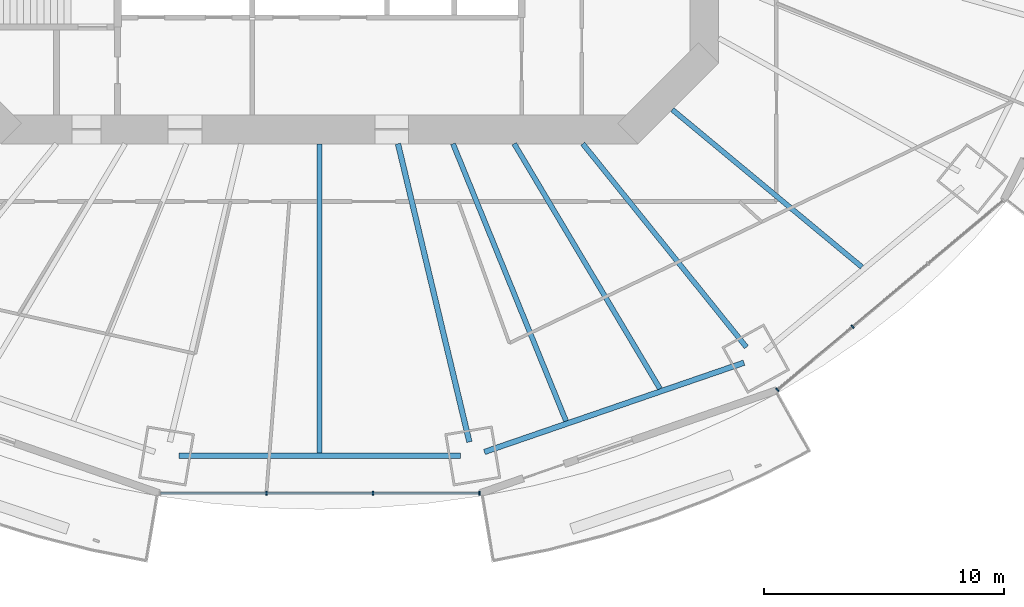
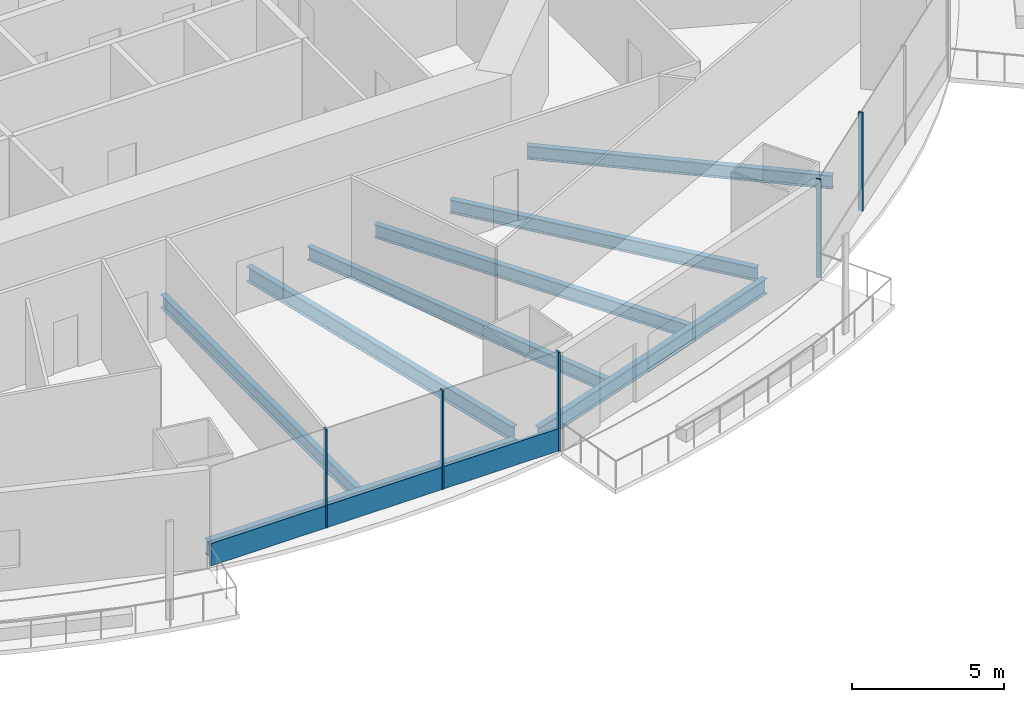
# One storey, part 4 of 22: 8 beams, 6 members, 2 elements without a shape of their own.
"""IFC4 building model written with IfcOpenShell, lengths in metres."""

from ifc_helpers import new_model, si_unit, direction, frame, origin, origin_2d, place, context, subcontext, project, spatial, rectangle, i_section, extrude, material, material_profile, profile_set, type_object, element, aggregate, save


model = new_model("IFC4")

# Units and contexts
model_context = context("Model", 3, precision=1e-05, world=origin(), true_north=direction((0.0, 1.0)))
body_context = subcontext(model_context, "Body", "Model", "MODEL_VIEW")
ifc_project = project(units=[si_unit("LENGTHUNIT", "METRE"), si_unit("AREAUNIT", "SQUARE_METRE"), si_unit("VOLUMEUNIT", "CUBIC_METRE"), si_unit("PLANEANGLEUNIT", "RADIAN"), si_unit("MASSUNIT", "GRAM", prefix="KILO")], contexts=[model_context])

# Site, building, storey
site_placement = place(None, origin())
site = spatial("IfcSite", under=ifc_project, at=site_placement, CompositionType="ELEMENT")
building_placement = place(site_placement, origin())
building = spatial("IfcBuilding", under=site, at=building_placement, Name="Marenthal Gate Tower", CompositionType="ELEMENT")
storey_placement = place(building_placement, frame((0.0, 0.0, 116.0)))
storey = spatial("IfcBuildingStorey", under=building, at=storey_placement, Name="L24", CompositionType="ELEMENT", Elevation=116.0)

# Curtain wall, members
ifc_material_1 = material(Name="Aluminium and glass", Category="aluminium")
curtain_wall_type = type_object("IfcCurtainWallType", Name="Curtain wall typical low", PredefinedType="NOTDEFINED", material=ifc_material_1)
curtain_wall_1_placement = place(storey_placement, origin())
curtain_wall_1 = element("IfcCurtainWall", 1, at=curtain_wall_1_placement, inside=storey, type_object=curtain_wall_type, Name="Curtain wall L24 bay 12", PredefinedType="NOTDEFINED")
ifc_material_2 = material(Name="Aluminium", Category="aluminium")
ifc_material_profile_1 = material_profile(ifc_material_2, rectangle(XDim=0.159912109375, YDim=0.06005859375, at=origin_2d()), Name="60x160 aluminium mullion")
ifc_profile_set_1 = profile_set([ifc_material_profile_1], Name="Aluminium")
member_type_1 = type_object("IfcMemberType", Name="Mullion 60x160 typical low", PredefinedType="MULLION", material=ifc_profile_set_1)
member_1_placement = place(storey_placement, frame((-2.2158203125, -28.13671875, 0.0), z_axis=(0.0, 0.0, 1.0), x_axis=(0.0, 1.0, 0.0)))
member_1 = element("IfcMember", 2, at=member_1_placement, type_object=member_type_1, Name="Mullion L24 bay 12.2", PredefinedType="MULLION", context=body_context, shape_type="SweptSolid", body=[
    extrude(rectangle(XDim=0.159912109375, YDim=0.06005859375, at=origin_2d()), origin(), (0.0, 0.0, 1.0), 3.969970703125),
])
member_2_placement = place(storey_placement, frame((2.2158203125, -28.13671875, 0.0), z_axis=(0.0, 0.0, 1.0), x_axis=(0.0, 1.0, 0.0)))
member_2 = element("IfcMember", 3, at=member_2_placement, type_object=member_type_1, Name="Mullion L24 bay 12.3", PredefinedType="MULLION", context=body_context, shape_type="SweptSolid", body=[
    extrude(rectangle(XDim=0.159912109375, YDim=0.06005859375, at=origin_2d()), origin(), (0.0, 0.0, 1.0), 3.969970703125),
])
member_3_placement = place(storey_placement, frame((6.647216796875, -28.13671875, 0.0), z_axis=(0.0, 0.0, 1.0), x_axis=(0.0, 1.0, 0.0)))
member_3 = element("IfcMember", 4, at=member_3_placement, type_object=member_type_1, Name="Mullion L24 bay 12.4", PredefinedType="MULLION", context=body_context, shape_type="SweptSolid", body=[
    extrude(rectangle(XDim=0.159912109375, YDim=0.06005859375, at=origin_2d()), origin(), (0.0, 0.0, 1.0), 3.969970703125),
])

curtain_wall_2_placement = place(storey_placement, origin())
curtain_wall_2 = element("IfcCurtainWall", 5, at=curtain_wall_2_placement, inside=storey, type_object=curtain_wall_type, Name="Curtain wall L24 bay 14", PredefinedType="NOTDEFINED")
member_4_placement = place(storey_placement, frame((19.037841796875, -23.833984375, 0.0), z_axis=(0.0, 0.0, 1.0), x_axis=(-0.642377082487, 0.766388728972, 0.0)))
member_4 = element("IfcMember", 6, at=member_4_placement, type_object=member_type_1, Name="Mullion L24 bay 14.1", PredefinedType="MULLION", context=body_context, shape_type="SweptSolid", body=[
    extrude(rectangle(XDim=0.159912109375, YDim=0.06005859375, at=origin_2d()), origin(), (0.0, 0.0, 1.0), 3.969970703125),
])
member_5_placement = place(storey_placement, frame((22.170166015625, -21.20849609375, 0.0), z_axis=(0.0, 0.0, 1.0), x_axis=(-0.642377082487, 0.766388728972, 0.0)))
member_5 = element("IfcMember", 7, at=member_5_placement, type_object=member_type_1, Name="Mullion L24 bay 14.2", PredefinedType="MULLION", context=body_context, shape_type="SweptSolid", body=[
    extrude(rectangle(XDim=0.159912109375, YDim=0.06005859375, at=origin_2d()), origin(), (0.0, 0.0, 1.0), 3.969970703125),
])
aggregate(curtain_wall_2, [member_4, member_5])

# Member
ifc_material_3 = material(Name="Aluminium", Category="aluminium")
ifc_material_profile_2 = material_profile(ifc_material_3, rectangle(XDim=0.1201171875, YDim=0.89990234375, at=origin_2d()), Name="120x900 aluminium transom")
ifc_profile_set_2 = profile_set([ifc_material_profile_2], Name="Aluminium")
member_type_2 = type_object("IfcMemberType", Name="Transom 120x900 typical low", PredefinedType="USERDEFINED", material=ifc_profile_set_2)
member_6_placement = place(storey_placement, frame((-6.6171875, -28.13671875, 0.449951171875), z_axis=(1.0, 0.0, 0.0), x_axis=(0.0, 1.0, 0.0)))
member_6 = element("IfcMember", 8, at=member_6_placement, type_object=member_type_2, Name="Transom L24 bay 12", ObjectType="TRANSOM", PredefinedType="USERDEFINED", context=body_context, shape_type="SweptSolid", body=[
    extrude(rectangle(XDim=0.1201171875, YDim=0.89990234375, at=origin_2d()), origin(), (0.0, 0.0, 1.0), 13.234375),
])

aggregate(curtain_wall_1, [member_1, member_2, member_3, member_6])

# Beams
ifc_material_4 = material(Name="Steel S355", Category="steel")
ifc_material_profile_3 = material_profile(ifc_material_4, i_section(OverallWidth=0.2099609375, OverallDepth=0.535888671875, WebThickness=0.010986328125, FlangeThickness=0.017333984375, FilletRadius=0.0126953125, at=origin_2d()), Name="W530X101")
ifc_profile_set_3 = profile_set([ifc_material_profile_3], Name="Steel S355")
beam_type_1 = type_object("IfcBeamType", Name="W530X101 beam", PredefinedType="BEAM", material=ifc_profile_set_3)
beam_1_placement = place(storey_placement, frame((22.551025390625, -18.7255859375, -0.447998046875), z_axis=(-0.769343150929, 0.638835750501, 0.0), x_axis=(-0.638835750501, -0.769343150929, 0.0)))
element("IfcBeam", 9, at=beam_1_placement, inside=storey, type_object=beam_type_1, Name="BM-L24-37", PredefinedType="BEAM", context=body_context, shape_type="SweptSolid", body=[
    extrude(i_section(OverallWidth=0.2099609375, OverallDepth=0.535888671875, WebThickness=0.010986328125, FlangeThickness=0.017333984375, FilletRadius=0.0126953125, at=origin_2d()), origin(), (0.0, 0.0, 1.0), 10.245849609375),
])
ifc_material_5 = material(Name="Steel S355", Category="steel")
ifc_material_profile_4 = material_profile(ifc_material_5, i_section(OverallWidth=0.2119140625, OverallDepth=0.5439453125, WebThickness=0.01318359375, FlangeThickness=0.021240234375, FilletRadius=0.0126953125, at=origin_2d()), Name="W530X123")
ifc_profile_set_4 = profile_set([ifc_material_profile_4], Name="Steel S355")
beam_type_2 = type_object("IfcBeamType", Name="W530X123 beam", PredefinedType="BEAM", material=ifc_profile_set_4)
beam_2_placement = place(storey_placement, frame((17.750732421875, -22.059326171875, -0.451904296875), z_axis=(-0.626924535124, 0.779079987716, 0.0), x_axis=(-0.779079987716, -0.626924535124, 0.0)))
element("IfcBeam", 10, at=beam_2_placement, inside=storey, type_object=beam_type_2, Name="BM-L24-14", PredefinedType="BEAM", context=body_context, shape_type="SweptSolid", body=[
    extrude(i_section(OverallWidth=0.2119140625, OverallDepth=0.5439453125, WebThickness=0.01318359375, FlangeThickness=0.021240234375, FilletRadius=0.0126953125, at=origin_2d()), origin(), (0.0, 0.0, 1.0), 10.85791015625),
])
beam_3_placement = place(storey_placement, frame((0.0, -26.47265625, -0.451904296875), z_axis=(0.0, 1.0, 0.0), x_axis=(-1.0, 0.0, 0.0)))
element("IfcBeam", 11, at=beam_3_placement, inside=storey, type_object=beam_type_2, Name="BM-L24-34", PredefinedType="BEAM", context=body_context, shape_type="SweptSolid", body=[
    extrude(i_section(OverallWidth=0.2119140625, OverallDepth=0.5439453125, WebThickness=0.01318359375, FlangeThickness=0.021240234375, FilletRadius=0.0126953125, at=origin_2d()), origin(), (0.0, 0.0, 1.0), 12.87255859375),
])
beam_4_placement = place(storey_placement, frame((10.248291015625, -25.131591796875, -0.451904296875), z_axis=(-0.377598266022, 0.925969518665, 0.0), x_axis=(-0.925969518665, -0.377598266022, 0.0)))
element("IfcBeam", 12, at=beam_4_placement, inside=storey, type_object=beam_type_2, Name="BM-L24-35", PredefinedType="BEAM", context=body_context, shape_type="SweptSolid", body=[
    extrude(i_section(OverallWidth=0.2119140625, OverallDepth=0.5439453125, WebThickness=0.01318359375, FlangeThickness=0.021240234375, FilletRadius=0.0126953125, at=origin_2d()), origin(), (0.0, 0.0, 1.0), 12.453369140625),
])
beam_5_placement = place(storey_placement, frame((14.154541015625, -23.7880859375, -0.451904296875), z_axis=(-0.511357862228, 0.859367870436, 0.0), x_axis=(-0.859367870436, -0.511357862228, 0.0)))
element("IfcBeam", 13, at=beam_5_placement, inside=storey, type_object=beam_type_2, Name="BM-L24-36", PredefinedType="BEAM", context=body_context, shape_type="SweptSolid", body=[
    extrude(i_section(OverallWidth=0.2119140625, OverallDepth=0.5439453125, WebThickness=0.01318359375, FlangeThickness=0.021240234375, FilletRadius=0.0126953125, at=origin_2d()), origin(), (0.0, 0.0, 1.0), 11.855224609375),
])
ifc_material_6 = material(Name="Steel S355", Category="steel")
ifc_material_profile_5 = material_profile(ifc_material_6, i_section(OverallWidth=0.22900390625, OverallDepth=0.612060546875, WebThickness=0.011962890625, FlangeThickness=0.01953125, FilletRadius=0.0126953125, at=origin_2d()), Name="W610X125")
ifc_profile_set_5 = profile_set([ifc_material_profile_5], Name="Steel S355")
beam_type_3 = type_object("IfcBeamType", Name="W610X125 beam", PredefinedType="BEAM", material=ifc_profile_set_5)
beam_6_placement = place(storey_placement, frame((6.228515625, -26.000732421875, -0.486083984375), z_axis=(-0.232968867139, 0.972484193673, 0.0), x_axis=(-0.972484193673, -0.232968867139, 0.0)))
element("IfcBeam", 14, at=beam_6_placement, inside=storey, type_object=beam_type_3, Name="BM-L24-13", PredefinedType="BEAM", context=body_context, shape_type="SweptSolid", body=[
    extrude(i_section(OverallWidth=0.22900390625, OverallDepth=0.612060546875, WebThickness=0.011962890625, FlangeThickness=0.01953125, FilletRadius=0.0126953125, at=origin_2d()), origin(), (0.0, 0.0, 1.0), 12.75146484375),
])
beam_7_placement = place(storey_placement, frame((-5.85546875, -26.587158203125, -0.486083984375), z_axis=(1.0, 0.0, 0.0), x_axis=(0.0, 1.0, 0.0)))
element("IfcBeam", 15, at=beam_7_placement, inside=storey, type_object=beam_type_3, Name="BM-L24-52", PredefinedType="BEAM", context=body_context, shape_type="SweptSolid", body=[
    extrude(i_section(OverallWidth=0.22900390625, OverallDepth=0.612060546875, WebThickness=0.011962890625, FlangeThickness=0.01953125, FilletRadius=0.0126953125, at=origin_2d()), origin(), (0.0, 0.0, 1.0), 11.7109375),
])
beam_8_placement = place(storey_placement, frame((6.855224609375, -26.419921875, -0.486083984375), z_axis=(0.945631108542, 0.325241151391, 0.0), x_axis=(-0.325241151391, 0.945631108542, 0.0)))
element("IfcBeam", 16, at=beam_8_placement, inside=storey, type_object=beam_type_3, Name="BM-L24-53", PredefinedType="BEAM", context=body_context, shape_type="SweptSolid", body=[
    extrude(i_section(OverallWidth=0.22900390625, OverallDepth=0.612060546875, WebThickness=0.011962890625, FlangeThickness=0.01953125, FilletRadius=0.0126953125, at=origin_2d()), origin(), (0.0, 0.0, 1.0), 11.4150390625),
])

save(model, "model.ifc")
